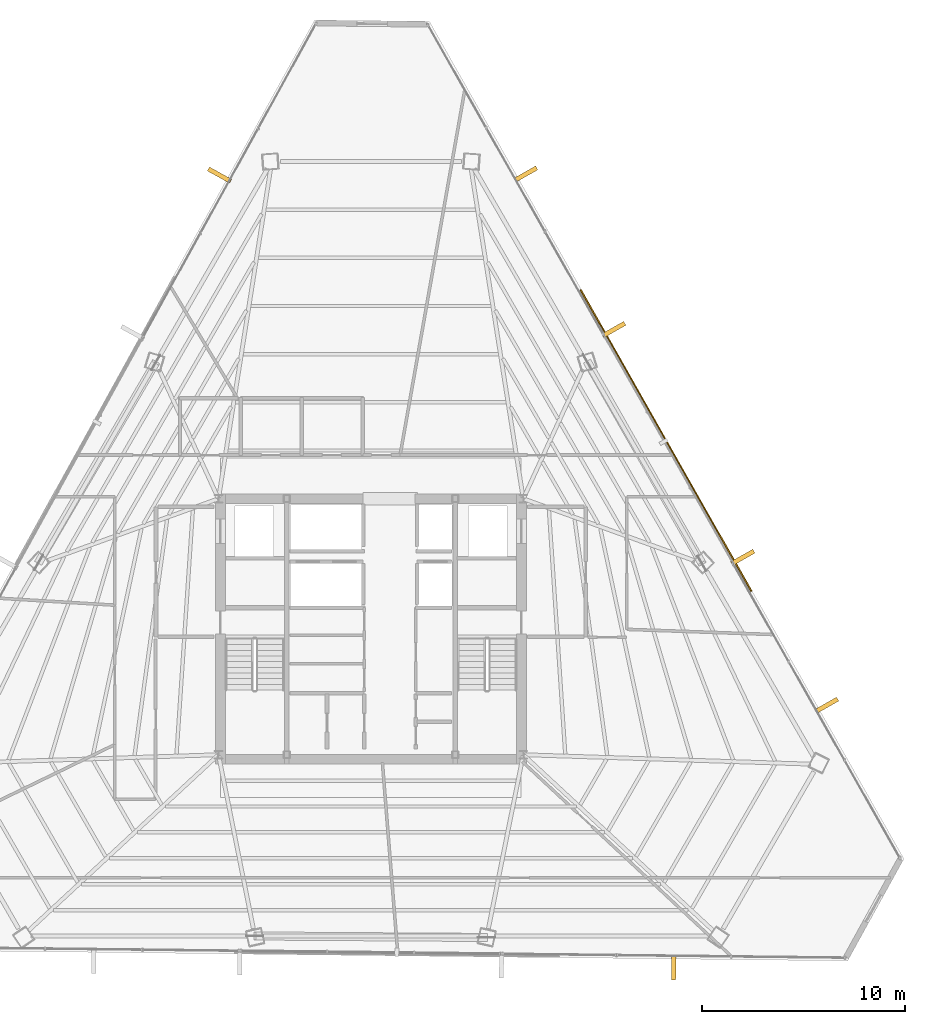
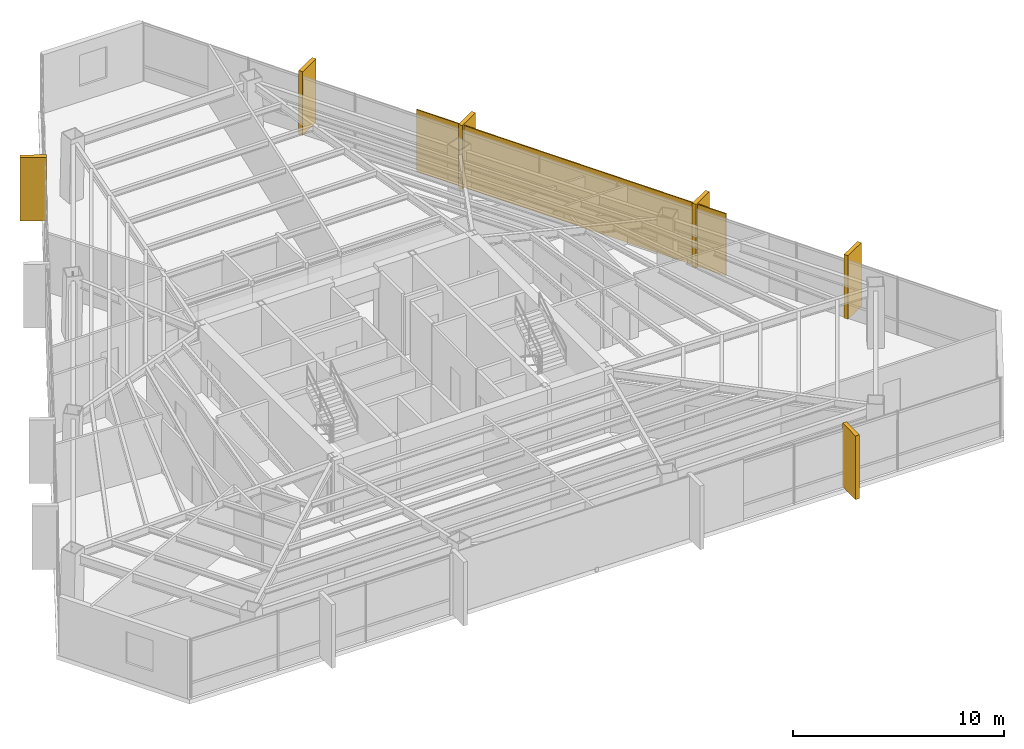
# One storey, part 41 of 41: 6 coverings, 1 shading device.
"""IFC4 building model written with IfcOpenShell, lengths in metres."""

from ifc_helpers import new_model, si_unit, direction, frame, origin, origin_2d, place, context, subcontext, project, spatial, rectangle, extrude, source, transform, mapped, material, layer, layer_set, type_object, type_shapes, element, save


model = new_model("IFC4")

# Units and contexts
model_context = context("Model", 3, precision=1e-05, world=origin(), true_north=direction((0.0, 1.0)))
body_context = subcontext(model_context, "Body", "Model", "MODEL_VIEW")
ifc_project = project(units=[si_unit("LENGTHUNIT", "METRE"), si_unit("AREAUNIT", "SQUARE_METRE"), si_unit("VOLUMEUNIT", "CUBIC_METRE"), si_unit("PLANEANGLEUNIT", "RADIAN"), si_unit("MASSUNIT", "GRAM", prefix="KILO")], contexts=[model_context])

# Site, building, storey
site_placement = place(None, origin())
site = spatial("IfcSite", under=ifc_project, at=site_placement, CompositionType="ELEMENT")
building_placement = place(site_placement, origin())
building = spatial("IfcBuilding", under=site, at=building_placement, Name="Caelisora Broadcast Tower", CompositionType="ELEMENT")
storey_placement = place(building_placement, frame((0.0, 0.0, 209.60009765625)))
storey = spatial("IfcBuildingStorey", under=building, at=storey_placement, Name="L55", CompositionType="ELEMENT", Elevation=209.60009765625)

# Coverings
ifc_material_1 = material(Name="Kiln-Fired Terracotta Spandrel Rainscreen Cladding", Category="ceramic")
ifc_layer_1 = layer(ifc_material_1, 0.044921875, Name="Kiln-Fired Terracotta Spandrel Rainscreen Cladding")
ifc_layer_set_1 = layer_set([ifc_layer_1], Name="Kiln-Fired Terracotta Spandrel Rainscreen Cladding")
covering_type = type_object("IfcCoveringType", Name="CL-1", PredefinedType="CLADDING", material=ifc_layer_set_1)
shared_shape_1 = source(origin(), body_context, "Body", "SweptSolid", [
    extrude(rectangle(XDim=0.219970703125, YDim=1.25, at=origin_2d()), origin(), (0.0, 0.0, 1.0), 3.68994140625),
])
type_shapes(covering_type, [shared_shape_1])
for number, where, z_axis, x_axis, name in (
    (1, (45.6171875, 45.974609375, -0.02001953125), (0.0, 0.0, 1.0), (0.493031062956, -0.87001170737, 0.0), "L55 vertical solar fin cladding #1-1"),
    (2, (49.951904296875, 38.323974609375, -0.02001953125), (0.0, 0.0, 1.0), (0.493031062956, -0.87001170737, 0.0), "L55 vertical solar fin cladding #1-2"),
    (3, (56.3056640625, 27.1103515625, -0.02001953125), (0.0, 0.0, 1.0), (0.493031062956, -0.87001170737, 0.0), "L55 vertical solar fin cladding #1-3"),
    (4, (60.430908203125, 19.82958984375, -0.02001953125), (0.0, 0.0, 1.0), (0.493031062956, -0.87001170737, 0.0), "L55 vertical solar fin cladding #1-4"),
    (5, (52.901611328125, 6.937744140625, -0.02001953125), (0.0, 0.0, 1.0), (-0.99993565026, 0.011344396795, 0.0), "L55 vertical solar fin cladding #2-1"),
    (6, (30.5498046875, 45.92822265625, -0.02001953125), (0.0, 0.0, 1.0), (0.482976759048, 0.875633171036, 0.0), "L55 vertical solar fin cladding #3-4"),
):
    element("IfcCovering", number, at=place(storey_placement, frame(where, z_axis=z_axis, x_axis=x_axis)), inside=storey, type_object=covering_type, Name=name, PredefinedType="CLADDING", context=body_context, shape_type="MappedRepresentation", body=[
        mapped(shared_shape_1, transform((0.0, 0.0, 0.0), scale=1.0)),
    ])

# Shading device
ifc_material_2 = material(Name="Perforated Glazed Terracotta Baguette Solar Screen", Category="ceramic")
ifc_layer_2 = layer(ifc_material_2, 0.06494140625, Name="Perforated Glazed Terracotta Baguette Solar Screen")
ifc_layer_set_2 = layer_set([ifc_layer_2], Name="Perforated Glazed Terracotta Baguette Solar Screen")
shading_device_type = type_object("IfcShadingDeviceType", Name="SS-1", PredefinedType="USERDEFINED", material=ifc_layer_set_2)
shared_shape_2 = source(origin(), body_context, "Body", "SweptSolid", [
    extrude(rectangle(XDim=17.056884765625, YDim=0.06494140625, at=origin_2d()), origin(), (0.0, 0.0, 1.0), 3.590087890625),
])
type_shapes(shading_device_type, [shared_shape_2])
shading_device_placement = place(storey_placement, frame((52.527099609375, 32.8662109375, 0.0), z_axis=(0.0, 0.0, 1.0), x_axis=(-0.493031062956, 0.87001170737, 0.0)))
element("IfcShadingDevice", 7, at=shading_device_placement, inside=storey, type_object=shading_device_type, Name="L55 perforated terracotta solar screen #3", ObjectType="SOLAR SCREEN", PredefinedType="USERDEFINED", context=body_context, shape_type="MappedRepresentation", body=[
    mapped(shared_shape_2, transform((0.0, 0.0, 0.0), scale=1.0)),
])

save(model, "model.ifc")
